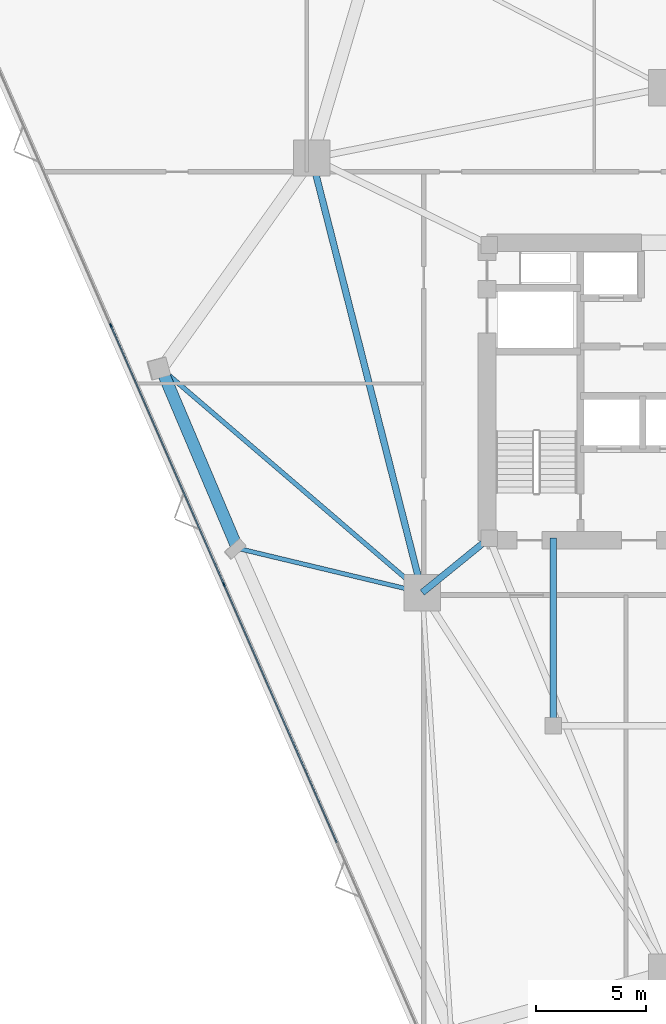
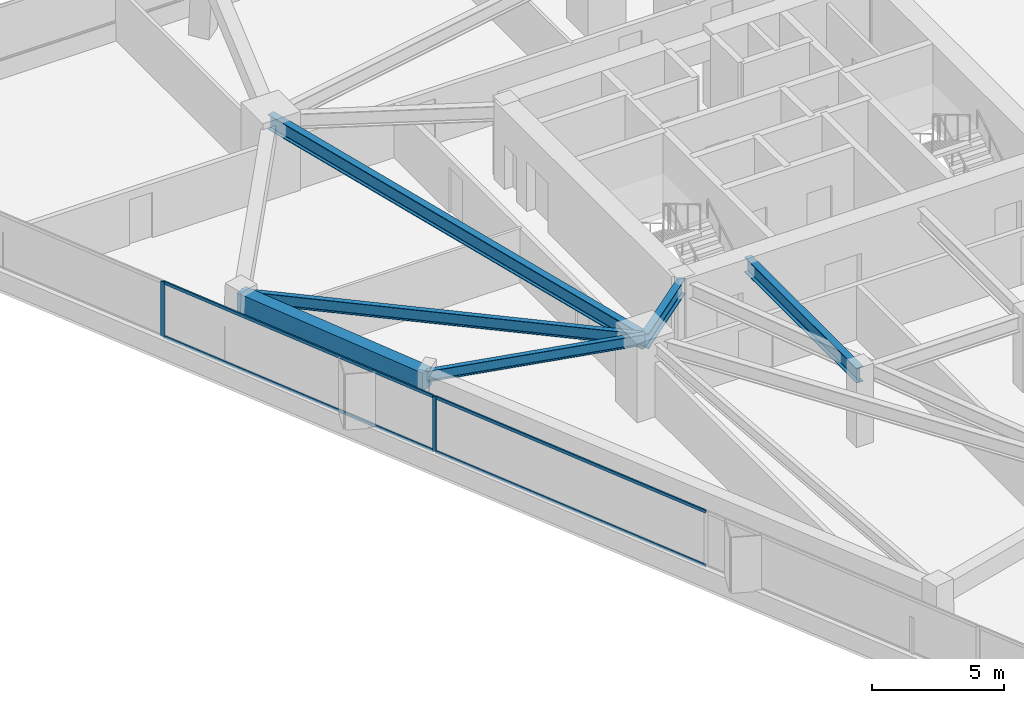
# One storey, part 5 of 16: 6 beams, 6 members, 1 element without a shape of its own.
"""IFC4 building model written with IfcOpenShell, lengths in metres."""

from ifc_helpers import new_model, si_unit, direction, frame, origin, origin_2d, place, context, subcontext, project, spatial, rectangle, i_section, extrude, material, layer, layer_set, material_profile, profile_set, type_object, element, aggregate, save


model = new_model("IFC4")

# Units and contexts
model_context = context("Model", 3, precision=1e-05, world=origin(), true_north=direction((0.0, 1.0)))
body_context = subcontext(model_context, "Body", "Model", "MODEL_VIEW")
ifc_project = project(units=[si_unit("LENGTHUNIT", "METRE"), si_unit("AREAUNIT", "SQUARE_METRE"), si_unit("VOLUMEUNIT", "CUBIC_METRE"), si_unit("PLANEANGLEUNIT", "RADIAN"), si_unit("MASSUNIT", "GRAM", prefix="KILO")], contexts=[model_context])

# Site, building, storey
site_placement = place(None, origin())
site = spatial("IfcSite", under=ifc_project, at=site_placement, CompositionType="ELEMENT")
building_placement = place(site_placement, origin())
building = spatial("IfcBuilding", under=site, at=building_placement, Name="Talyreon Biosciences Tower", CompositionType="ELEMENT")
storey_placement = place(building_placement, frame((0.0, 0.0, 107.85009765625)))
storey = spatial("IfcBuildingStorey", under=building, at=storey_placement, Name="L28", CompositionType="ELEMENT", Elevation=107.85009765625)

# Curtain wall, members
ifc_material_1 = material(Name="Thermally broken aluminium and low-E glazing", Category="aluminium")
ifc_layer = layer(ifc_material_1, 0.18994140625)
ifc_layer_set = layer_set([ifc_layer], Name="Thermally broken aluminium and low-E glazing")
curtain_wall_type = type_object("IfcCurtainWallType", Name="CurtainWall_Zone2Genomics", PredefinedType="NOTDEFINED", material=ifc_layer_set)
curtain_wall_placement = place(storey_placement, origin())
curtain_wall = element("IfcCurtainWall", 1, at=curtain_wall_placement, inside=storey, type_object=curtain_wall_type, Name="L28 Unitised Curtain Wall FCW-L28-00", PredefinedType="NOTDEFINED")
ifc_material_2 = material(Name="Anodised thermally broken aluminium", Category="aluminium")
ifc_material_profile_1 = material_profile(ifc_material_2, rectangle(XDim=0.06494140625, YDim=0.179931640625, at=origin_2d()), Name="ALUM MULLION 65x180")
ifc_profile_set_1 = profile_set([ifc_material_profile_1], Name="Anodised thermally broken aluminium")
member_type_1 = type_object("IfcMemberType", Name="CWMullion_65x180", PredefinedType="MULLION", material=ifc_profile_set_1)
member_1_placement = place(storey_placement, frame((45.916015625, 59.25146484375, 0.809814453125), z_axis=(0.0, 0.0, 1.0), x_axis=(-0.9163461482, -0.400386983653, 0.0)))
member_1 = element("IfcMember", 2, at=member_1_placement, type_object=member_type_1, Name="CW3 mullion 4", PredefinedType="MULLION", context=body_context, shape_type="SweptSolid", body=[
    extrude(rectangle(XDim=0.06494140625, YDim=0.179931640625, at=origin_2d()), origin(), (0.0, 0.0, 1.0), 2.565185546875),
])
member_2_placement = place(storey_placement, frame((40.78515625, 70.994140625, 0.809814453125), z_axis=(0.0, 0.0, 1.0), x_axis=(-0.9163461482, -0.400386983653, 0.0)))
member_2 = element("IfcMember", 3, at=member_2_placement, type_object=member_type_1, Name="CW3 mullion 5", PredefinedType="MULLION", context=body_context, shape_type="SweptSolid", body=[
    extrude(rectangle(XDim=0.06494140625, YDim=0.179931640625, at=origin_2d()), origin(), (0.0, 0.0, 1.0), 2.565185546875),
])
ifc_material_profile_2 = material_profile(ifc_material_2, rectangle(XDim=0.06494140625, YDim=0.139892578125, at=origin_2d()), Name="ALUM TRANSOM 65x140")
ifc_profile_set_2 = profile_set([ifc_material_profile_2], Name="Anodised thermally broken aluminium")
member_type_2 = type_object("IfcMemberType", Name="CWTransom_65x140", PredefinedType="USERDEFINED", material=ifc_profile_set_2)
member_3_placement = place(storey_placement, frame((51.03369140625, 47.538818359375, 0.84228515625), z_axis=(-0.400389848838, 0.916344896285, 0.0), x_axis=(-0.916344896285, -0.400389848838, 0.0)))
member_3 = element("IfcMember", 4, at=member_3_placement, type_object=member_type_2, Name="CW3 transom 3.1", ObjectType="TRANSOM", PredefinedType="USERDEFINED", context=body_context, shape_type="SweptSolid", body=[
    extrude(rectangle(XDim=0.06494140625, YDim=0.139892578125, at=origin_2d()), origin(), (0.0, 0.0, 1.0), 12.74951171875),
])
member_4_placement = place(storey_placement, frame((51.03369140625, 47.538818359375, 3.34228515625), z_axis=(-0.400389848838, 0.916344896285, 0.0), x_axis=(-0.916344896285, -0.400389848838, 0.0)))
member_4 = element("IfcMember", 5, at=member_4_placement, type_object=member_type_2, Name="CW3 transom 3.2", ObjectType="TRANSOM", PredefinedType="USERDEFINED", context=body_context, shape_type="SweptSolid", body=[
    extrude(rectangle(XDim=0.06494140625, YDim=0.139892578125, at=origin_2d()), origin(), (0.0, 0.0, 1.0), 12.74951171875),
])
member_5_placement = place(storey_placement, frame((45.903076171875, 59.28125, 0.84228515625), z_axis=(-0.400382823213, 0.916347966046, 0.0), x_axis=(-0.916347966046, -0.400382823213, 0.0)))
member_5 = element("IfcMember", 6, at=member_5_placement, type_object=member_type_2, Name="CW3 transom 4.1", ObjectType="TRANSOM", PredefinedType="USERDEFINED", context=body_context, shape_type="SweptSolid", body=[
    extrude(rectangle(XDim=0.06494140625, YDim=0.139892578125, at=origin_2d()), origin(), (0.0, 0.0, 1.0), 12.749755859375),
])
member_6_placement = place(storey_placement, frame((45.903076171875, 59.28125, 3.34228515625), z_axis=(-0.400382823213, 0.916347966046, 0.0), x_axis=(-0.916347966046, -0.400382823213, 0.0)))
member_6 = element("IfcMember", 7, at=member_6_placement, type_object=member_type_2, Name="CW3 transom 4.2", ObjectType="TRANSOM", PredefinedType="USERDEFINED", context=body_context, shape_type="SweptSolid", body=[
    extrude(rectangle(XDim=0.06494140625, YDim=0.139892578125, at=origin_2d()), origin(), (0.0, 0.0, 1.0), 12.749755859375),
])
aggregate(curtain_wall, [member_1, member_2, member_3, member_4, member_5, member_6])

# Beams
ifc_material_3 = material(Name="Precast concrete C45/55", Category="concrete")
ifc_material_profile_3 = material_profile(ifc_material_3, rectangle(XDim=0.550048828125, YDim=0.85009765625, at=origin_2d()), Name="RCB 550x850")
ifc_profile_set_3 = profile_set([ifc_material_profile_3], Name="Precast concrete C45/55")
beam_type_1 = type_object("IfcBeamType", Name="ExpressedSpandrel_550x850", PredefinedType="SPANDREL", material=ifc_profile_set_3)
beam_1_placement = place(storey_placement, frame((43.078125, 69.032470703125, 2.949951171875), z_axis=(0.389903013719, -0.92085592787, 0.0), x_axis=(0.92085592787, 0.389903013719, 0.0)))
element("IfcBeam", 8, at=beam_1_placement, inside=storey, type_object=beam_type_1, Name="L28 Expressed Horizontal Concrete Spandrel 10", PredefinedType="SPANDREL", context=body_context, shape_type="SweptSolid", body=[
    extrude(rectangle(XDim=0.550048828125, YDim=0.85009765625, at=origin_2d()), origin(), (0.0, 0.0, 1.0), 8.84130859375),
])
ifc_material_4 = material(Name="Steel SM355", Category="steel")
ifc_material_profile_4 = material_profile(ifc_material_4, i_section(OverallWidth=0.300048828125, OverallDepth=0.699951171875, WebThickness=0.01708984375, FlangeThickness=0.031982421875, FilletRadius=0.027099609375, at=origin_2d()), Name="HE700B")
ifc_profile_set_4 = profile_set([ifc_material_profile_4], Name="Steel SM355")
beam_type_2 = type_object("IfcBeamType", Name="SteelGirder_HE700B", PredefinedType="BEAM", material=ifc_profile_set_4)
beam_2_placement = place(storey_placement, frame((49.897705078125, 78.5986328125, 3.02490234375), z_axis=(0.246537082299, -0.969133358755, 0.0), x_axis=(0.969133358755, 0.246537082299, 0.0)))
element("IfcBeam", 9, at=beam_2_placement, inside=storey, type_object=beam_type_2, Name="L28 Mega-Ring Girder 5", PredefinedType="BEAM", context=body_context, shape_type="SweptSolid", body=[
    extrude(i_section(OverallWidth=0.300048828125, OverallDepth=0.699951171875, WebThickness=0.01708984375, FlangeThickness=0.031982421875, FilletRadius=0.027099609375, at=origin_2d()), origin(), (0.0, 0.0, 1.0), 20.34619140625),
])
beam_3_placement = place(storey_placement, frame((57.949951171875, 61.35009765625, 3.02490234375), z_axis=(-0.775755154013, -0.631034025249, 0.0), x_axis=(0.631034025249, -0.775755154013, 0.0)))
element("IfcBeam", 10, at=beam_3_placement, inside=storey, type_object=beam_type_2, Name="L28 Radial Primary Girder 6", PredefinedType="BEAM", context=body_context, shape_type="SweptSolid", body=[
    extrude(i_section(OverallWidth=0.300048828125, OverallDepth=0.699951171875, WebThickness=0.01708984375, FlangeThickness=0.031982421875, FilletRadius=0.027099609375, at=origin_2d()), origin(), (0.0, 0.0, 1.0), 3.913818359375),
])
beam_4_placement = place(storey_placement, frame((60.85009765625, 52.840087890625, 3.02490234375), z_axis=(0.0, 1.0, 0.0), x_axis=(-1.0, 0.0, 0.0)))
element("IfcBeam", 11, at=beam_4_placement, inside=storey, type_object=beam_type_2, Name="L28 Crown Shaft Tie Girder W", PredefinedType="BEAM", context=body_context, shape_type="SweptSolid", body=[
    extrude(i_section(OverallWidth=0.300048828125, OverallDepth=0.699951171875, WebThickness=0.01708984375, FlangeThickness=0.031982421875, FilletRadius=0.027099609375, at=origin_2d()), origin(), (0.0, 0.0, 1.0), 8.510009765625),
])
ifc_material_profile_5 = material_profile(ifc_material_4, i_section(OverallWidth=0.199951171875, OverallDepth=0.5, WebThickness=0.01025390625, FlangeThickness=0.01611328125, FilletRadius=0.02099609375, at=origin_2d()), Name="IPE500")
ifc_profile_set_5 = profile_set([ifc_material_profile_5], Name="Steel SM355")
beam_type_3 = type_object("IfcBeamType", Name="SteelJoist_IPE500", PredefinedType="JOIST", material=ifc_profile_set_5)
beam_5_placement = place(storey_placement, frame((54.913818359375, 58.88037109375, 3.125), z_axis=(-0.972458933929, 0.233074283911, 0.0), x_axis=(-0.233074283911, -0.972458933929, 0.0)))
element("IfcBeam", 12, at=beam_5_placement, inside=storey, type_object=beam_type_3, Name="L28 Radial Composite Floor Joist PL-SW", PredefinedType="JOIST", context=body_context, shape_type="SweptSolid", body=[
    extrude(i_section(OverallWidth=0.199951171875, OverallDepth=0.5, WebThickness=0.01025390625, FlangeThickness=0.01611328125, FilletRadius=0.02099609375, at=origin_2d()), origin(), (0.0, 0.0, 1.0), 8.6259765625),
])
ifc_material_profile_6 = material_profile(ifc_material_4, i_section(OverallWidth=0.2099609375, OverallDepth=0.550048828125, WebThickness=0.010986328125, FlangeThickness=0.01708984375, FilletRadius=0.02392578125, at=origin_2d()), Name="IPE550")
ifc_profile_set_6 = profile_set([ifc_material_profile_6], Name="Steel SM355")
beam_type_4 = type_object("IfcBeamType", Name="SteelJoist_IPE550", PredefinedType="JOIST", material=ifc_profile_set_6)
beam_6_placement = place(storey_placement, frame((54.913818359375, 58.88037109375, 3.099853515625), z_axis=(-0.75902778144, 0.65105823626, 0.0), x_axis=(-0.65105823626, -0.75902778144, 0.0)))
element("IfcBeam", 13, at=beam_6_placement, inside=storey, type_object=beam_type_4, Name="L28 Radial Composite Floor Joist PC-SW1", PredefinedType="JOIST", context=body_context, shape_type="SweptSolid", body=[
    extrude(i_section(OverallWidth=0.2099609375, OverallDepth=0.550048828125, WebThickness=0.010986328125, FlangeThickness=0.01708984375, FilletRadius=0.02392578125, at=origin_2d()), origin(), (0.0, 0.0, 1.0), 15.59326171875),
])

save(model, "model.ifc")
